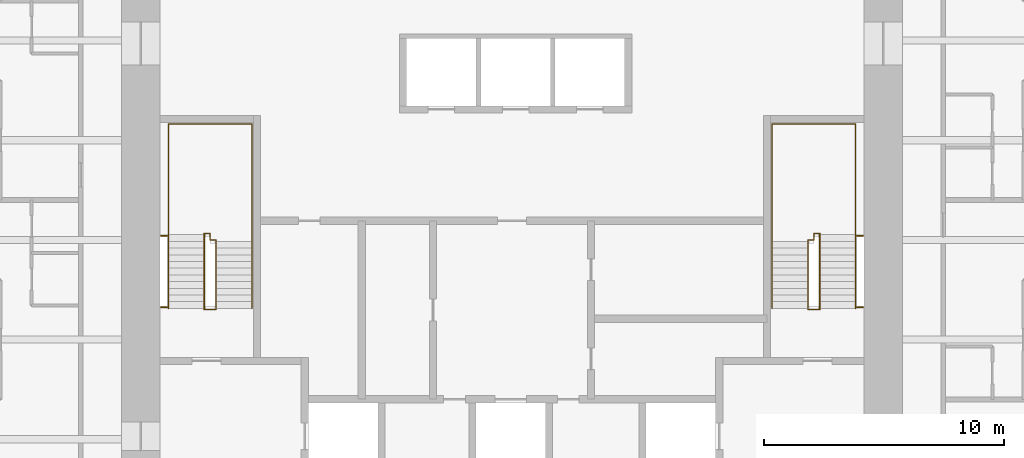
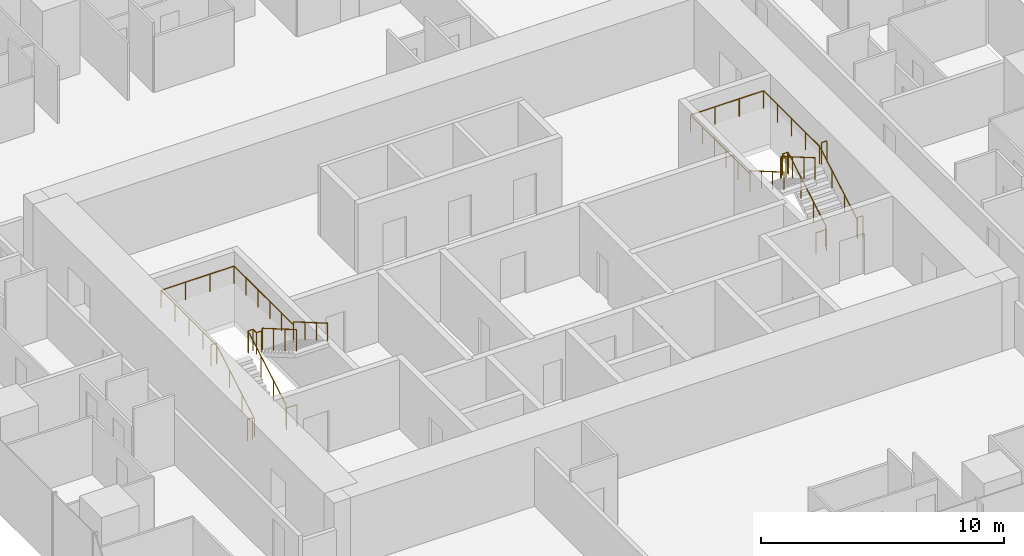
# One storey, part 12 of 12: 8 railings.
"""IFC4 building model written with IfcOpenShell, lengths in metres."""

from ifc_helpers import new_model, si_unit, direction, frame, origin, origin_2d, place, context, subcontext, project, spatial, circle, extrude, material, type_object, element, save


model = new_model("IFC4")

# Units and contexts
model_context = context("Model", 3, precision=1e-05, world=origin(), true_north=direction((0.0, 1.0)))
body_context = subcontext(model_context, "Body", "Model", "MODEL_VIEW")
ifc_project = project(units=[si_unit("LENGTHUNIT", "METRE"), si_unit("AREAUNIT", "SQUARE_METRE"), si_unit("VOLUMEUNIT", "CUBIC_METRE"), si_unit("PLANEANGLEUNIT", "RADIAN"), si_unit("MASSUNIT", "GRAM", prefix="KILO")], contexts=[model_context])

# Site, building, storey
site_placement = place(None, origin())
site = spatial("IfcSite", under=ifc_project, at=site_placement, CompositionType="ELEMENT")
building_placement = place(site_placement, origin())
building = spatial("IfcBuilding", under=site, at=building_placement, Name="Khuree Lantern Residences", CompositionType="ELEMENT")
storey_placement = place(building_placement, frame((0.0, 0.0, 237.0)))
storey = spatial("IfcBuildingStorey", under=building, at=storey_placement, Name="L59", CompositionType="ELEMENT", Elevation=237.0)

# Railings
ifc_material = material(Name="Steel S355", Category="steel")
railing_type_1 = type_object("IfcRailingType", Name="STAIR GUARD G1 1100", PredefinedType="GUARDRAIL", material=ifc_material)
railing_1_placement = place(storey_placement, frame((-12.35009765625, -2.909912109375, 0.0)))
element("IfcRailing", 1, at=railing_1_placement, inside=storey, type_object=railing_type_1, Name="Stair ST1 guard", PredefinedType="GUARDRAIL", context=body_context, shape_type="SweptSolid", body=[
    extrude(circle(Radius=0.02392578125, at=origin_2d()), frame((0.0, 0.0, 1.076171875), z_axis=(-1.0, 0.0, 0.0), x_axis=(0.0, -1.0, 0.0)), (0.0, 0.0, 1.0), 0.5),
    extrude(circle(Radius=0.02392578125, at=origin_2d()), frame((-0.5, 0.0, 1.076171875), z_axis=(0.0, 0.292073035251, 0.95639601739), x_axis=(-1.0, 0.0, 0.0)), (0.0, 0.0, 1.0), 0.17041015625),
    extrude(circle(Radius=0.02392578125, at=origin_2d()), frame((-0.5, 0.0498046875, 1.2392578125), z_axis=(0.0, 0.864176135923, 0.503189433615), x_axis=(-1.0, 0.0, 0.0)), (0.0, 0.0, 1.0), 3.564208984375),
    extrude(circle(Radius=0.02392578125, at=origin_2d()), frame((-0.5, 3.1298828125, 3.03271484375), z_axis=(0.0, 1.0, 0.0), x_axis=(-1.0, 0.0, 0.0)), (0.0, 0.0, 1.0), 0.050048828125),
    extrude(circle(Radius=0.02392578125, at=origin_2d()), frame((-0.5, 3.179931640625, 3.03271484375), z_axis=(1.0, 0.0, 0.0), x_axis=(0.0, 1.0, 0.0)), (0.0, 0.0, 1.0), 0.25),
    extrude(circle(Radius=0.02392578125, at=origin_2d()), frame((-0.25, 3.179931640625, 3.03271484375), z_axis=(0.0, -1.0, 0.0), x_axis=(1.0, 0.0, 0.0)), (0.0, 0.0, 1.0), 0.280029296875),
    extrude(circle(Radius=0.02392578125, at=origin_2d()), frame((-0.25, 2.89990234375, 3.03271484375), z_axis=(1.0, 0.0, 0.0), x_axis=(0.0, 1.0, 0.0)), (0.0, 0.0, 1.0), 0.25),
    extrude(circle(Radius=0.02392578125, at=origin_2d()), frame((0.0, 2.89990234375, 3.03271484375), z_axis=(0.0, -0.293381807449, 0.955995353053), x_axis=(1.0, 0.0, 0.0)), (0.0, 0.0, 1.0), 0.170654296875),
    extrude(circle(Radius=0.02392578125, at=origin_2d()), frame((0.0, 2.849853515625, 3.19580078125), z_axis=(0.0, -0.864180358799, 0.503182181189), x_axis=(1.0, 0.0, 0.0)), (0.0, 0.0, 1.0), 3.240234375),
    extrude(circle(Radius=0.02099609375, at=origin_2d()), origin(), (0.0, 0.0, 1.0), 1.052001953125),
    extrude(circle(Radius=0.02099609375, at=origin_2d()), frame((-0.5, 0.0, 0.0)), (0.0, 0.0, 1.0), 1.052001953125),
    extrude(circle(Radius=0.02099609375, at=origin_2d()), frame((-0.5, 0.0498046875, 0.1630859375)), (0.0, 0.0, 1.0), 1.052001953125),
    extrude(circle(Radius=0.02099609375, at=origin_2d()), frame((-0.5, 1.076416015625, 0.760986328125)), (0.0, 0.0, 1.0), 1.052001953125),
    extrude(circle(Radius=0.02099609375, at=origin_2d()), frame((-0.5, 2.103271484375, 1.358642578125)), (0.0, 0.0, 1.0), 1.052001953125),
    extrude(circle(Radius=0.02099609375, at=origin_2d()), frame((-0.5, 3.1298828125, 1.95654296875)), (0.0, 0.0, 1.0), 1.052001953125),
    extrude(circle(Radius=0.02099609375, at=origin_2d()), frame((-0.5, 3.179931640625, 1.95654296875)), (0.0, 0.0, 1.0), 1.052001953125),
    extrude(circle(Radius=0.02099609375, at=origin_2d()), frame((-0.25, 3.179931640625, 1.95654296875)), (0.0, 0.0, 1.0), 1.052001953125),
    extrude(circle(Radius=0.02099609375, at=origin_2d()), frame((-0.25, 2.89990234375, 1.95654296875)), (0.0, 0.0, 1.0), 1.052001953125),
    extrude(circle(Radius=0.02099609375, at=origin_2d()), frame((0.0, 2.89990234375, 1.95654296875)), (0.0, 0.0, 1.0), 1.052001953125),
    extrude(circle(Radius=0.02099609375, at=origin_2d()), frame((0.0, 2.849853515625, 2.11962890625)), (0.0, 0.0, 1.0), 1.052001953125),
    extrude(circle(Radius=0.02099609375, at=origin_2d()), frame((0.0, 1.91650390625, 2.6630859375)), (0.0, 0.0, 1.0), 1.052001953125),
    extrude(circle(Radius=0.02099609375, at=origin_2d()), frame((0.0, 0.983154296875, 3.20654296875)), (0.0, 0.0, 1.0), 1.052001953125),
    extrude(circle(Radius=0.02099609375, at=origin_2d()), frame((0.0, 0.0498046875, 3.75)), (0.0, 0.0, 1.0), 1.052001953125),
])
for number, where, name in (
    (2, (-14.64990234375, -2.81005859375, 0.0), "Stair ST1 landing slot guard"),
    (3, (-14.64990234375, 0.169921875, 1.95654296875), "Stair ST1 landing slot guard"),
):
    element("IfcRailing", number, at=place(storey_placement, frame(where)), inside=storey, type_object=railing_type_1, Name=name, PredefinedType="GUARDRAIL", context=body_context, shape_type="SweptSolid", body=[
        extrude(circle(Radius=0.02392578125, at=origin_2d()), frame((0.0, 0.0, 1.076171875), z_axis=(1.0, 0.0, 0.0), x_axis=(0.0, 1.0, 0.0)), (0.0, 0.0, 1.0), 0.25),
        extrude(circle(Radius=0.02099609375, at=origin_2d()), origin(), (0.0, 0.0, 1.0), 1.052001953125),
        extrude(circle(Radius=0.02099609375, at=origin_2d()), frame((0.25, 0.0, 0.0)), (0.0, 0.0, 1.0), 1.052001953125),
    ])
railing_2_placement = place(storey_placement, frame((12.35009765625, -2.909912109375, 0.0)))
element("IfcRailing", 4, at=railing_2_placement, inside=storey, type_object=railing_type_1, Name="Stair ST2 guard", PredefinedType="GUARDRAIL", context=body_context, shape_type="SweptSolid", body=[
    extrude(circle(Radius=0.02392578125, at=origin_2d()), frame((0.0, 0.0, 1.076171875), z_axis=(1.0, 0.0, 0.0), x_axis=(0.0, 1.0, 0.0)), (0.0, 0.0, 1.0), 0.5),
    extrude(circle(Radius=0.02392578125, at=origin_2d()), frame((0.5, 0.0, 1.076171875), z_axis=(0.0, 0.292073035251, 0.95639601739), x_axis=(-1.0, 0.0, 0.0)), (0.0, 0.0, 1.0), 0.17041015625),
    extrude(circle(Radius=0.02392578125, at=origin_2d()), frame((0.5, 0.0498046875, 1.2392578125), z_axis=(0.0, 0.864176135923, 0.503189433615), x_axis=(-1.0, 0.0, 0.0)), (0.0, 0.0, 1.0), 3.564208984375),
    extrude(circle(Radius=0.02392578125, at=origin_2d()), frame((0.5, 3.1298828125, 3.03271484375), z_axis=(0.0, 1.0, 0.0), x_axis=(-1.0, 0.0, 0.0)), (0.0, 0.0, 1.0), 0.050048828125),
    extrude(circle(Radius=0.02392578125, at=origin_2d()), frame((0.5, 3.179931640625, 3.03271484375), z_axis=(-1.0, 0.0, 0.0), x_axis=(0.0, -1.0, 0.0)), (0.0, 0.0, 1.0), 0.25),
    extrude(circle(Radius=0.02392578125, at=origin_2d()), frame((0.25, 3.179931640625, 3.03271484375), z_axis=(0.0, -1.0, 0.0), x_axis=(1.0, 0.0, 0.0)), (0.0, 0.0, 1.0), 0.280029296875),
    extrude(circle(Radius=0.02392578125, at=origin_2d()), frame((0.25, 2.89990234375, 3.03271484375), z_axis=(-1.0, 0.0, 0.0), x_axis=(0.0, -1.0, 0.0)), (0.0, 0.0, 1.0), 0.25),
    extrude(circle(Radius=0.02392578125, at=origin_2d()), frame((0.0, 2.89990234375, 3.03271484375), z_axis=(0.0, -0.293381807449, 0.955995353053), x_axis=(1.0, 0.0, 0.0)), (0.0, 0.0, 1.0), 0.170654296875),
    extrude(circle(Radius=0.02392578125, at=origin_2d()), frame((0.0, 2.849853515625, 3.19580078125), z_axis=(0.0, -0.864180358799, 0.503182181189), x_axis=(1.0, 0.0, 0.0)), (0.0, 0.0, 1.0), 3.240234375),
    extrude(circle(Radius=0.02099609375, at=origin_2d()), origin(), (0.0, 0.0, 1.0), 1.052001953125),
    extrude(circle(Radius=0.02099609375, at=origin_2d()), frame((0.5, 0.0, 0.0)), (0.0, 0.0, 1.0), 1.052001953125),
    extrude(circle(Radius=0.02099609375, at=origin_2d()), frame((0.5, 0.0498046875, 0.1630859375)), (0.0, 0.0, 1.0), 1.052001953125),
    extrude(circle(Radius=0.02099609375, at=origin_2d()), frame((0.5, 1.076416015625, 0.760986328125)), (0.0, 0.0, 1.0), 1.052001953125),
    extrude(circle(Radius=0.02099609375, at=origin_2d()), frame((0.5, 2.103271484375, 1.358642578125)), (0.0, 0.0, 1.0), 1.052001953125),
    extrude(circle(Radius=0.02099609375, at=origin_2d()), frame((0.5, 3.1298828125, 1.95654296875)), (0.0, 0.0, 1.0), 1.052001953125),
    extrude(circle(Radius=0.02099609375, at=origin_2d()), frame((0.5, 3.179931640625, 1.95654296875)), (0.0, 0.0, 1.0), 1.052001953125),
    extrude(circle(Radius=0.02099609375, at=origin_2d()), frame((0.25, 3.179931640625, 1.95654296875)), (0.0, 0.0, 1.0), 1.052001953125),
    extrude(circle(Radius=0.02099609375, at=origin_2d()), frame((0.25, 2.89990234375, 1.95654296875)), (0.0, 0.0, 1.0), 1.052001953125),
    extrude(circle(Radius=0.02099609375, at=origin_2d()), frame((0.0, 2.89990234375, 1.95654296875)), (0.0, 0.0, 1.0), 1.052001953125),
    extrude(circle(Radius=0.02099609375, at=origin_2d()), frame((0.0, 2.849853515625, 2.11962890625)), (0.0, 0.0, 1.0), 1.052001953125),
    extrude(circle(Radius=0.02099609375, at=origin_2d()), frame((0.0, 1.91650390625, 2.6630859375)), (0.0, 0.0, 1.0), 1.052001953125),
    extrude(circle(Radius=0.02099609375, at=origin_2d()), frame((0.0, 0.983154296875, 3.20654296875)), (0.0, 0.0, 1.0), 1.052001953125),
    extrude(circle(Radius=0.02099609375, at=origin_2d()), frame((0.0, 0.0498046875, 3.75)), (0.0, 0.0, 1.0), 1.052001953125),
])
for number, where, name in (
    (5, (14.64990234375, -2.81005859375, 0.0), "Stair ST2 landing slot guard"),
    (6, (14.64990234375, 0.169921875, 1.95654296875), "Stair ST2 landing slot guard"),
):
    element("IfcRailing", number, at=place(storey_placement, frame(where)), inside=storey, type_object=railing_type_1, Name=name, PredefinedType="GUARDRAIL", context=body_context, shape_type="SweptSolid", body=[
        extrude(circle(Radius=0.02392578125, at=origin_2d()), frame((0.0, 0.0, 1.076171875), z_axis=(-1.0, 0.0, 0.0), x_axis=(0.0, -1.0, 0.0)), (0.0, 0.0, 1.0), 0.25),
        extrude(circle(Radius=0.02099609375, at=origin_2d()), origin(), (0.0, 0.0, 1.0), 1.052001953125),
        extrude(circle(Radius=0.02099609375, at=origin_2d()), frame((-0.25, 0.0, 0.0)), (0.0, 0.0, 1.0), 1.052001953125),
    ])
railing_type_2 = type_object("IfcRailingType", Name="STAIR HANDRAIL H1 900", PredefinedType="HANDRAIL", material=ifc_material)
railing_3_placement = place(storey_placement, frame((-14.340087890625, -2.860107421875, 0.1630859375)))
element("IfcRailing", 7, at=railing_3_placement, inside=storey, type_object=railing_type_2, Name="Stair ST1 handrail", PredefinedType="HANDRAIL", context=body_context, shape_type="SweptSolid", body=[
    extrude(circle(Radius=0.02392578125, at=origin_2d()), frame((0.0, 0.0, 0.8759765625), z_axis=(0.0, 0.864176135923, 0.503189433615), x_axis=(-1.0, 0.0, 0.0)), (0.0, 0.0, 1.0), 3.564208984375),
    extrude(circle(Radius=0.02392578125, at=origin_2d()), frame((0.0, 3.080078125, 2.66943359375), z_axis=(0.0, 1.0, 0.0), x_axis=(-1.0, 0.0, 0.0)), (0.0, 0.0, 1.0), 4.6201171875),
    extrude(circle(Radius=0.02392578125, at=origin_2d()), frame((0.0, 7.7001953125, 2.66943359375), z_axis=(1.0, 0.0, 0.0), x_axis=(0.0, 1.0, 0.0)), (0.0, 0.0, 1.0), 3.47998046875),
    extrude(circle(Radius=0.02392578125, at=origin_2d()), frame((3.47998046875, 7.7001953125, 2.66943359375), z_axis=(0.0, -1.0, 0.0), x_axis=(1.0, 0.0, 0.0)), (0.0, 0.0, 1.0), 4.900146484375),
    extrude(circle(Radius=0.02392578125, at=origin_2d()), frame((3.47998046875, 2.800048828125, 2.66943359375), z_axis=(0.0, 0.0, 1.0), x_axis=(1.0, 0.0, 0.0)), (0.0, 0.0, 1.0), 0.1630859375),
    extrude(circle(Radius=0.02392578125, at=origin_2d()), frame((3.47998046875, 2.800048828125, 2.83251953125), z_axis=(0.0, -0.864180358799, 0.503182181189), x_axis=(1.0, 0.0, 0.0)), (0.0, 0.0, 1.0), 3.240234375),
    extrude(circle(Radius=0.02099609375, at=origin_2d()), origin(), (0.0, 0.0, 1.0), 0.851806640625),
    extrude(circle(Radius=0.02099609375, at=origin_2d()), frame((0.0, 1.026611328125, 0.597900390625)), (0.0, 0.0, 1.0), 0.851806640625),
    extrude(circle(Radius=0.02099609375, at=origin_2d()), frame((0.0, 2.053466796875, 1.195556640625)), (0.0, 0.0, 1.0), 0.851806640625),
    extrude(circle(Radius=0.02099609375, at=origin_2d()), frame((0.0, 3.080078125, 1.79345703125)), (0.0, 0.0, 1.0), 0.851806640625),
    extrude(circle(Radius=0.02099609375, at=origin_2d()), frame((0.0, 4.235107421875, 1.79345703125)), (0.0, 0.0, 1.0), 0.851806640625),
    extrude(circle(Radius=0.02099609375, at=origin_2d()), frame((0.0, 5.39013671875, 1.79345703125)), (0.0, 0.0, 1.0), 0.851806640625),
    extrude(circle(Radius=0.02099609375, at=origin_2d()), frame((0.0, 6.545166015625, 1.79345703125)), (0.0, 0.0, 1.0), 0.851806640625),
    extrude(circle(Radius=0.02099609375, at=origin_2d()), frame((0.0, 7.7001953125, 1.79345703125)), (0.0, 0.0, 1.0), 0.851806640625),
    extrude(circle(Radius=0.02099609375, at=origin_2d()), frame((1.159912109375, 7.7001953125, 1.79345703125)), (0.0, 0.0, 1.0), 0.851806640625),
    extrude(circle(Radius=0.02099609375, at=origin_2d()), frame((2.320068359375, 7.7001953125, 1.79345703125)), (0.0, 0.0, 1.0), 0.851806640625),
    extrude(circle(Radius=0.02099609375, at=origin_2d()), frame((3.47998046875, 7.7001953125, 1.79345703125)), (0.0, 0.0, 1.0), 0.851806640625),
    extrude(circle(Radius=0.02099609375, at=origin_2d()), frame((3.47998046875, 6.72021484375, 1.79345703125)), (0.0, 0.0, 1.0), 0.851806640625),
    extrude(circle(Radius=0.02099609375, at=origin_2d()), frame((3.47998046875, 5.740234375, 1.79345703125)), (0.0, 0.0, 1.0), 0.851806640625),
    extrude(circle(Radius=0.02099609375, at=origin_2d()), frame((3.47998046875, 4.760009765625, 1.79345703125)), (0.0, 0.0, 1.0), 0.851806640625),
    extrude(circle(Radius=0.02099609375, at=origin_2d()), frame((3.47998046875, 3.780029296875, 1.79345703125)), (0.0, 0.0, 1.0), 0.851806640625),
    extrude(circle(Radius=0.02099609375, at=origin_2d()), frame((3.47998046875, 2.800048828125, 1.79345703125)), (0.0, 0.0, 1.0), 0.851806640625),
    extrude(circle(Radius=0.02099609375, at=origin_2d()), frame((3.47998046875, 2.800048828125, 1.95654296875)), (0.0, 0.0, 1.0), 0.851806640625),
    extrude(circle(Radius=0.02099609375, at=origin_2d()), frame((3.47998046875, 1.86669921875, 2.5)), (0.0, 0.0, 1.0), 0.851806640625),
    extrude(circle(Radius=0.02099609375, at=origin_2d()), frame((3.47998046875, 0.933349609375, 3.04345703125)), (0.0, 0.0, 1.0), 0.851806640625),
    extrude(circle(Radius=0.02099609375, at=origin_2d()), frame((3.47998046875, 0.0, 3.5869140625)), (0.0, 0.0, 1.0), 0.851806640625),
])
railing_4_placement = place(storey_placement, frame((14.340087890625, -2.860107421875, 0.1630859375)))
element("IfcRailing", 8, at=railing_4_placement, inside=storey, type_object=railing_type_2, Name="Stair ST2 handrail", PredefinedType="HANDRAIL", context=body_context, shape_type="SweptSolid", body=[
    extrude(circle(Radius=0.02392578125, at=origin_2d()), frame((0.0, 0.0, 0.8759765625), z_axis=(0.0, 0.864176135923, 0.503189433615), x_axis=(-1.0, 0.0, 0.0)), (0.0, 0.0, 1.0), 3.564208984375),
    extrude(circle(Radius=0.02392578125, at=origin_2d()), frame((0.0, 3.080078125, 2.66943359375), z_axis=(0.0, 1.0, 0.0), x_axis=(-1.0, 0.0, 0.0)), (0.0, 0.0, 1.0), 4.6201171875),
    extrude(circle(Radius=0.02392578125, at=origin_2d()), frame((0.0, 7.7001953125, 2.66943359375), z_axis=(-1.0, 0.0, 0.0), x_axis=(0.0, -1.0, 0.0)), (0.0, 0.0, 1.0), 3.47998046875),
    extrude(circle(Radius=0.02392578125, at=origin_2d()), frame((-3.47998046875, 7.7001953125, 2.66943359375), z_axis=(0.0, -1.0, 0.0), x_axis=(1.0, 0.0, 0.0)), (0.0, 0.0, 1.0), 4.900146484375),
    extrude(circle(Radius=0.02392578125, at=origin_2d()), frame((-3.47998046875, 2.800048828125, 2.66943359375), z_axis=(0.0, 0.0, 1.0), x_axis=(1.0, 0.0, 0.0)), (0.0, 0.0, 1.0), 0.1630859375),
    extrude(circle(Radius=0.02392578125, at=origin_2d()), frame((-3.47998046875, 2.800048828125, 2.83251953125), z_axis=(0.0, -0.864180358799, 0.503182181189), x_axis=(1.0, 0.0, 0.0)), (0.0, 0.0, 1.0), 3.240234375),
    extrude(circle(Radius=0.02099609375, at=origin_2d()), origin(), (0.0, 0.0, 1.0), 0.851806640625),
    extrude(circle(Radius=0.02099609375, at=origin_2d()), frame((0.0, 1.026611328125, 0.597900390625)), (0.0, 0.0, 1.0), 0.851806640625),
    extrude(circle(Radius=0.02099609375, at=origin_2d()), frame((0.0, 2.053466796875, 1.195556640625)), (0.0, 0.0, 1.0), 0.851806640625),
    extrude(circle(Radius=0.02099609375, at=origin_2d()), frame((0.0, 3.080078125, 1.79345703125)), (0.0, 0.0, 1.0), 0.851806640625),
    extrude(circle(Radius=0.02099609375, at=origin_2d()), frame((0.0, 4.235107421875, 1.79345703125)), (0.0, 0.0, 1.0), 0.851806640625),
    extrude(circle(Radius=0.02099609375, at=origin_2d()), frame((0.0, 5.39013671875, 1.79345703125)), (0.0, 0.0, 1.0), 0.851806640625),
    extrude(circle(Radius=0.02099609375, at=origin_2d()), frame((0.0, 6.545166015625, 1.79345703125)), (0.0, 0.0, 1.0), 0.851806640625),
    extrude(circle(Radius=0.02099609375, at=origin_2d()), frame((0.0, 7.7001953125, 1.79345703125)), (0.0, 0.0, 1.0), 0.851806640625),
    extrude(circle(Radius=0.02099609375, at=origin_2d()), frame((-1.159912109375, 7.7001953125, 1.79345703125)), (0.0, 0.0, 1.0), 0.851806640625),
    extrude(circle(Radius=0.02099609375, at=origin_2d()), frame((-2.320068359375, 7.7001953125, 1.79345703125)), (0.0, 0.0, 1.0), 0.851806640625),
    extrude(circle(Radius=0.02099609375, at=origin_2d()), frame((-3.47998046875, 7.7001953125, 1.79345703125)), (0.0, 0.0, 1.0), 0.851806640625),
    extrude(circle(Radius=0.02099609375, at=origin_2d()), frame((-3.47998046875, 6.72021484375, 1.79345703125)), (0.0, 0.0, 1.0), 0.851806640625),
    extrude(circle(Radius=0.02099609375, at=origin_2d()), frame((-3.47998046875, 5.740234375, 1.79345703125)), (0.0, 0.0, 1.0), 0.851806640625),
    extrude(circle(Radius=0.02099609375, at=origin_2d()), frame((-3.47998046875, 4.760009765625, 1.79345703125)), (0.0, 0.0, 1.0), 0.851806640625),
    extrude(circle(Radius=0.02099609375, at=origin_2d()), frame((-3.47998046875, 3.780029296875, 1.79345703125)), (0.0, 0.0, 1.0), 0.851806640625),
    extrude(circle(Radius=0.02099609375, at=origin_2d()), frame((-3.47998046875, 2.800048828125, 1.79345703125)), (0.0, 0.0, 1.0), 0.851806640625),
    extrude(circle(Radius=0.02099609375, at=origin_2d()), frame((-3.47998046875, 2.800048828125, 1.95654296875)), (0.0, 0.0, 1.0), 0.851806640625),
    extrude(circle(Radius=0.02099609375, at=origin_2d()), frame((-3.47998046875, 1.86669921875, 2.5)), (0.0, 0.0, 1.0), 0.851806640625),
    extrude(circle(Radius=0.02099609375, at=origin_2d()), frame((-3.47998046875, 0.933349609375, 3.04345703125)), (0.0, 0.0, 1.0), 0.851806640625),
    extrude(circle(Radius=0.02099609375, at=origin_2d()), frame((-3.47998046875, 0.0, 3.5869140625)), (0.0, 0.0, 1.0), 0.851806640625),
])

save(model, "model.ifc")
